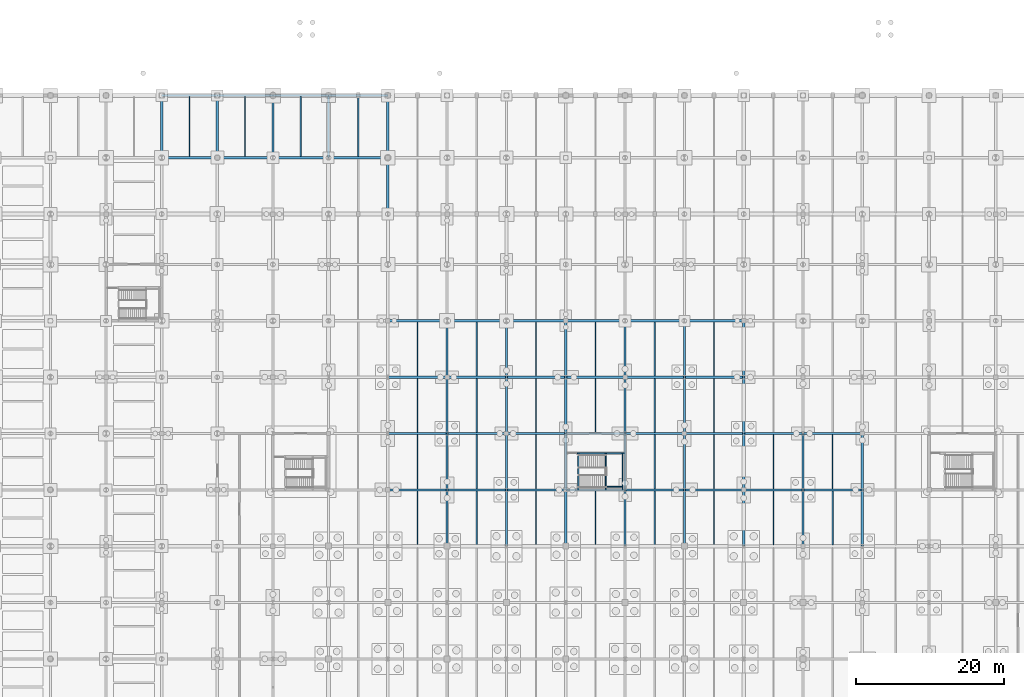
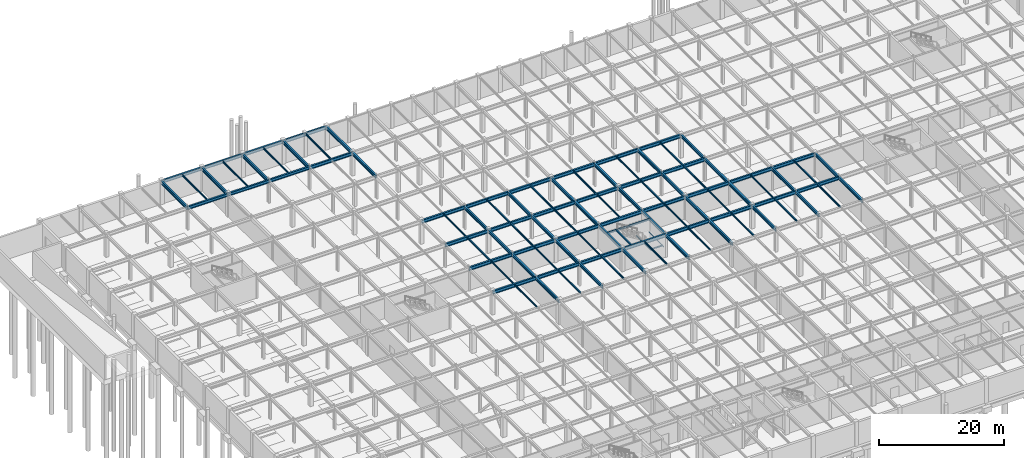
# One storey, part 33 of 53: 106 beams.
"""IFC4 building model written with IfcOpenShell, lengths in metres."""

from ifc_helpers import new_model, si_unit, direction, frame, origin, origin_2d, place, context, subcontext, project, spatial, hollow_rectangle, i_section, extrude, material, material_profile, profile_set, type_object, element, save


model = new_model("IFC4")

# Units and contexts
model_context = context("Model", 3, precision=1e-05, world=origin(), true_north=direction((0.0, 1.0)))
body_context = subcontext(model_context, "Body", "Model", "MODEL_VIEW")
ifc_project = project(units=[si_unit("LENGTHUNIT", "METRE"), si_unit("AREAUNIT", "SQUARE_METRE"), si_unit("VOLUMEUNIT", "CUBIC_METRE"), si_unit("PLANEANGLEUNIT", "RADIAN"), si_unit("MASSUNIT", "GRAM", prefix="KILO")], contexts=[model_context])

# Site, building, storey
site_placement = place(None, origin())
site = spatial("IfcSite", under=ifc_project, at=site_placement, CompositionType="ELEMENT")
building_placement = place(site_placement, origin())
building = spatial("IfcBuilding", under=site, at=building_placement, Name="Shalkamar Park Central Library", CompositionType="ELEMENT")
storey_placement = place(building_placement, frame((0.0, 0.0, -4.800048828125)))
storey = spatial("IfcBuildingStorey", under=building, at=storey_placement, Name="B1", CompositionType="ELEMENT", Elevation=-4.800048828125)

# Beams
ifc_material = material(Name="Steel S355", Category="steel")
ifc_material_profile_1 = material_profile(ifc_material, i_section(OverallWidth=0.10009765625, OverallDepth=0.199951171875, WebThickness=0.005615234375, FlangeThickness=0.008544921875, FilletRadius=0.011962890625, at=origin_2d()), Name="IPE 200")
ifc_profile_set_1 = profile_set([ifc_material_profile_1], Name="Steel S355")
beam_type_1 = type_object("IfcBeamType", Name="Composite Floor Joist IPE200", PredefinedType="JOIST", material=ifc_profile_set_1)
for number, where, z_axis, x_axis, name in (
    (1, (202.39501953125, 300.800048828125, 2.02001953125), (0.0, 1.0, 0.0), (-1.0, 0.0, 0.0), "Stair Half-Landing Beam ST-P7-B1-1"),
    (2, (204.64501953125, 300.800048828125, 2.02001953125), (0.0, 1.0, 0.0), (-1.0, 0.0, 0.0), "Stair Half-Landing Beam ST-P7-B1-2"),
):
    element("IfcBeam", number, at=place(storey_placement, frame(where, z_axis=z_axis, x_axis=x_axis)), inside=storey, type_object=beam_type_1, Name=name, PredefinedType="JOIST", context=body_context, shape_type="SweptSolid", body=[
        extrude(i_section(OverallWidth=0.10009765625, OverallDepth=0.199951171875, WebThickness=0.005615234375, FlangeThickness=0.008544921875, FilletRadius=0.011962890625, at=origin_2d()), origin(), (0.0, 0.0, 1.0), 4.949951171875),
    ])
beam_1_placement = place(storey_placement, frame((202.39501953125, 301.22509765625, 2.02001953125), z_axis=(1.0, 0.0, 0.0), x_axis=(0.0, 1.0, 0.0)))
element("IfcBeam", 3, at=beam_1_placement, inside=storey, type_object=beam_type_1, Name="Stair Half-Landing Cross Tie ST-P7-B1-3", PredefinedType="JOIST", context=body_context, shape_type="SweptSolid", body=[
    extrude(i_section(OverallWidth=0.10009765625, OverallDepth=0.199951171875, WebThickness=0.005615234375, FlangeThickness=0.008544921875, FilletRadius=0.011962890625, at=origin_2d()), origin(), (0.0, 0.0, 1.0), 2.25),
])
ifc_material_profile_2 = material_profile(ifc_material, i_section(OverallWidth=0.14990234375, OverallDepth=0.300048828125, WebThickness=0.007080078125, FlangeThickness=0.0107421875, FilletRadius=0.014892578125, at=origin_2d()), Name="IPE 300")
ifc_profile_set_2 = profile_set([ifc_material_profile_2], Name="Steel S355")
beam_type_2 = type_object("IfcBeamType", Name="Composite Floor Joist IPE300", PredefinedType="JOIST", material=ifc_profile_set_2)
for number, where, z_axis, x_axis, name in (
    (4, (177.0, 300.947998046875, 4.360107421875), (0.0, 1.0, 0.0), (-1.0, 0.0, 0.0), "Composite Joist 08/J-1 (B1)"),
    (5, (185.0, 300.947998046875, 4.360107421875), (0.0, 1.0, 0.0), (-1.0, 0.0, 0.0), "Composite Joist 09/J-1 (B1)"),
    (6, (193.0, 300.947998046875, 4.360107421875), (0.0, 1.0, 0.0), (-1.0, 0.0, 0.0), "Composite Joist 10/J-1 (B1)"),
    (7, (209.0, 300.947998046875, 4.360107421875), (0.0, 1.0, 0.0), (-1.0, 0.0, 0.0), "Composite Joist 12/J-1 (B1)"),
    (8, (217.0, 300.947998046875, 4.360107421875), (0.0, 1.0, 0.0), (-1.0, 0.0, 0.0), "Composite Joist 13/J-1 (B1)"),
    (9, (225.0, 300.947998046875, 4.360107421875), (0.0, 1.0, 0.0), (-1.0, 0.0, 0.0), "Composite Joist 14/J-1 (B1)"),
    (10, (233.0, 300.947998046875, 4.360107421875), (0.0, 1.0, 0.0), (-1.0, 0.0, 0.0), "Composite Joist 15/J-1 (B1)"),
):
    element("IfcBeam", number, at=place(storey_placement, frame(where, z_axis=z_axis, x_axis=x_axis)), inside=storey, type_object=beam_type_2, Name=name, PredefinedType="JOIST", context=body_context, shape_type="SweptSolid", body=[
        extrude(i_section(OverallWidth=0.14990234375, OverallDepth=0.300048828125, WebThickness=0.007080078125, FlangeThickness=0.0107421875, FilletRadius=0.014892578125, at=origin_2d()), origin(), (0.0, 0.0, 1.0), 7.303955078125),
    ])
ifc_material_profile_3 = material_profile(ifc_material, i_section(OverallWidth=0.159912109375, OverallDepth=0.330078125, WebThickness=0.007568359375, FlangeThickness=0.011474609375, FilletRadius=0.01806640625, at=origin_2d()), Name="IPE 330")
ifc_profile_set_3 = profile_set([ifc_material_profile_3], Name="Steel S355")
beam_type_3 = type_object("IfcBeamType", Name="Composite Floor Joist IPE330", PredefinedType="JOIST", material=ifc_profile_set_3)
for number, where, z_axis, x_axis, name in (
    (11, (146.25, 345.748046875, 4.344970703125), (0.0, 1.0, 0.0), (-1.0, 0.0, 0.0), "Composite Joist 04/Q-1 (B1)"),
    (12, (153.75, 345.748046875, 4.344970703125), (0.0, 1.0, 0.0), (-1.0, 0.0, 0.0), "Composite Joist 05/Q-1 (B1)"),
    (13, (161.25, 345.748046875, 4.344970703125), (0.0, 1.0, 0.0), (-1.0, 0.0, 0.0), "Composite Joist 06/Q-1 (B1)"),
    (14, (169.0, 345.748046875, 4.455078125), (0.0, 1.0, 0.0), (-1.0, 0.0, 0.0), "Composite Joist 07/Q-1 (B1)"),
):
    element("IfcBeam", number, at=place(storey_placement, frame(where, z_axis=z_axis, x_axis=x_axis)), inside=storey, type_object=beam_type_3, Name=name, PredefinedType="JOIST", context=body_context, shape_type="SweptSolid", body=[
        extrude(i_section(OverallWidth=0.159912109375, OverallDepth=0.330078125, WebThickness=0.007568359375, FlangeThickness=0.011474609375, FilletRadius=0.01806640625, at=origin_2d()), origin(), (0.0, 0.0, 1.0), 8.10400390625),
    ])
beam_2_placement = place(storey_placement, frame((177.0, 293.347900390625, 4.344970703125), z_axis=(0.0, 1.0, 0.0), x_axis=(-1.0, 0.0, 0.0)))
element("IfcBeam", 15, at=beam_2_placement, inside=storey, type_object=beam_type_3, Name="Composite Joist 08/H-1 (B1)", PredefinedType="JOIST", context=body_context, shape_type="SweptSolid", body=[
    extrude(i_section(OverallWidth=0.159912109375, OverallDepth=0.330078125, WebThickness=0.007568359375, FlangeThickness=0.011474609375, FilletRadius=0.01806640625, at=origin_2d()), origin(), (0.0, 0.0, 1.0), 7.30419921875),
])
for number, where, z_axis, x_axis, name in (
    (16, (177.0, 308.548095703125, 4.344970703125), (0.0, 1.0, 0.0), (-1.0, 0.0, 0.0), "Composite Joist 08/K-1 (B1)"),
    (17, (177.0, 316.14794921875, 4.344970703125), (0.0, 1.0, 0.0), (-1.0, 0.0, 0.0), "Composite Joist 08/L-1 (B1)"),
):
    element("IfcBeam", number, at=place(storey_placement, frame(where, z_axis=z_axis, x_axis=x_axis)), inside=storey, type_object=beam_type_3, Name=name, PredefinedType="JOIST", context=body_context, shape_type="SweptSolid", body=[
        extrude(i_section(OverallWidth=0.159912109375, OverallDepth=0.330078125, WebThickness=0.007568359375, FlangeThickness=0.011474609375, FilletRadius=0.01806640625, at=origin_2d()), origin(), (0.0, 0.0, 1.0), 7.303955078125),
    ])
beam_3_placement = place(storey_placement, frame((185.0, 293.347900390625, 4.344970703125), z_axis=(0.0, 1.0, 0.0), x_axis=(-1.0, 0.0, 0.0)))
element("IfcBeam", 18, at=beam_3_placement, inside=storey, type_object=beam_type_3, Name="Composite Joist 09/H-1 (B1)", PredefinedType="JOIST", context=body_context, shape_type="SweptSolid", body=[
    extrude(i_section(OverallWidth=0.159912109375, OverallDepth=0.330078125, WebThickness=0.007568359375, FlangeThickness=0.011474609375, FilletRadius=0.01806640625, at=origin_2d()), origin(), (0.0, 0.0, 1.0), 7.30419921875),
])
for number, where, z_axis, x_axis, name in (
    (19, (185.0, 308.548095703125, 4.344970703125), (0.0, 1.0, 0.0), (-1.0, 0.0, 0.0), "Composite Joist 09/K-1 (B1)"),
    (20, (185.0, 316.14794921875, 4.344970703125), (0.0, 1.0, 0.0), (-1.0, 0.0, 0.0), "Composite Joist 09/L-1 (B1)"),
):
    element("IfcBeam", number, at=place(storey_placement, frame(where, z_axis=z_axis, x_axis=x_axis)), inside=storey, type_object=beam_type_3, Name=name, PredefinedType="JOIST", context=body_context, shape_type="SweptSolid", body=[
        extrude(i_section(OverallWidth=0.159912109375, OverallDepth=0.330078125, WebThickness=0.007568359375, FlangeThickness=0.011474609375, FilletRadius=0.01806640625, at=origin_2d()), origin(), (0.0, 0.0, 1.0), 7.303955078125),
    ])
beam_4_placement = place(storey_placement, frame((193.0, 293.347900390625, 4.344970703125), z_axis=(0.0, 1.0, 0.0), x_axis=(-1.0, 0.0, 0.0)))
element("IfcBeam", 21, at=beam_4_placement, inside=storey, type_object=beam_type_3, Name="Composite Joist 10/H-1 (B1)", PredefinedType="JOIST", context=body_context, shape_type="SweptSolid", body=[
    extrude(i_section(OverallWidth=0.159912109375, OverallDepth=0.330078125, WebThickness=0.007568359375, FlangeThickness=0.011474609375, FilletRadius=0.01806640625, at=origin_2d()), origin(), (0.0, 0.0, 1.0), 7.30419921875),
])
for number, where, z_axis, x_axis, name in (
    (22, (193.0, 308.548095703125, 4.344970703125), (0.0, 1.0, 0.0), (-1.0, 0.0, 0.0), "Composite Joist 10/K-1 (B1)"),
    (23, (193.0, 316.14794921875, 4.344970703125), (0.0, 1.0, 0.0), (-1.0, 0.0, 0.0), "Composite Joist 10/L-1 (B1)"),
):
    element("IfcBeam", number, at=place(storey_placement, frame(where, z_axis=z_axis, x_axis=x_axis)), inside=storey, type_object=beam_type_3, Name=name, PredefinedType="JOIST", context=body_context, shape_type="SweptSolid", body=[
        extrude(i_section(OverallWidth=0.159912109375, OverallDepth=0.330078125, WebThickness=0.007568359375, FlangeThickness=0.011474609375, FilletRadius=0.01806640625, at=origin_2d()), origin(), (0.0, 0.0, 1.0), 7.303955078125),
    ])
beam_5_placement = place(storey_placement, frame((201.0, 293.347900390625, 4.344970703125), z_axis=(0.0, 1.0, 0.0), x_axis=(-1.0, 0.0, 0.0)))
element("IfcBeam", 24, at=beam_5_placement, inside=storey, type_object=beam_type_3, Name="Composite Joist 11/H-1 (B1)", PredefinedType="JOIST", context=body_context, shape_type="SweptSolid", body=[
    extrude(i_section(OverallWidth=0.159912109375, OverallDepth=0.330078125, WebThickness=0.007568359375, FlangeThickness=0.011474609375, FilletRadius=0.01806640625, at=origin_2d()), origin(), (0.0, 0.0, 1.0), 7.30419921875),
])
for number, where, z_axis, x_axis, name in (
    (25, (201.0, 308.548095703125, 4.344970703125), (0.0, 1.0, 0.0), (-1.0, 0.0, 0.0), "Composite Joist 11/K-1 (B1)"),
    (26, (201.0, 316.14794921875, 4.344970703125), (0.0, 1.0, 0.0), (-1.0, 0.0, 0.0), "Composite Joist 11/L-1 (B1)"),
):
    element("IfcBeam", number, at=place(storey_placement, frame(where, z_axis=z_axis, x_axis=x_axis)), inside=storey, type_object=beam_type_3, Name=name, PredefinedType="JOIST", context=body_context, shape_type="SweptSolid", body=[
        extrude(i_section(OverallWidth=0.159912109375, OverallDepth=0.330078125, WebThickness=0.007568359375, FlangeThickness=0.011474609375, FilletRadius=0.01806640625, at=origin_2d()), origin(), (0.0, 0.0, 1.0), 7.303955078125),
    ])
beam_6_placement = place(storey_placement, frame((209.0, 293.347900390625, 4.344970703125), z_axis=(0.0, 1.0, 0.0), x_axis=(-1.0, 0.0, 0.0)))
element("IfcBeam", 27, at=beam_6_placement, inside=storey, type_object=beam_type_3, Name="Composite Joist 12/H-1 (B1)", PredefinedType="JOIST", context=body_context, shape_type="SweptSolid", body=[
    extrude(i_section(OverallWidth=0.159912109375, OverallDepth=0.330078125, WebThickness=0.007568359375, FlangeThickness=0.011474609375, FilletRadius=0.01806640625, at=origin_2d()), origin(), (0.0, 0.0, 1.0), 7.30419921875),
])
for number, where, z_axis, x_axis, name in (
    (28, (209.0, 308.548095703125, 4.344970703125), (0.0, 1.0, 0.0), (-1.0, 0.0, 0.0), "Composite Joist 12/K-1 (B1)"),
    (29, (209.0, 316.14794921875, 4.344970703125), (0.0, 1.0, 0.0), (-1.0, 0.0, 0.0), "Composite Joist 12/L-1 (B1)"),
):
    element("IfcBeam", number, at=place(storey_placement, frame(where, z_axis=z_axis, x_axis=x_axis)), inside=storey, type_object=beam_type_3, Name=name, PredefinedType="JOIST", context=body_context, shape_type="SweptSolid", body=[
        extrude(i_section(OverallWidth=0.159912109375, OverallDepth=0.330078125, WebThickness=0.007568359375, FlangeThickness=0.011474609375, FilletRadius=0.01806640625, at=origin_2d()), origin(), (0.0, 0.0, 1.0), 7.303955078125),
    ])
beam_7_placement = place(storey_placement, frame((217.0, 293.347900390625, 4.344970703125), z_axis=(0.0, 1.0, 0.0), x_axis=(-1.0, 0.0, 0.0)))
element("IfcBeam", 30, at=beam_7_placement, inside=storey, type_object=beam_type_3, Name="Composite Joist 13/H-1 (B1)", PredefinedType="JOIST", context=body_context, shape_type="SweptSolid", body=[
    extrude(i_section(OverallWidth=0.159912109375, OverallDepth=0.330078125, WebThickness=0.007568359375, FlangeThickness=0.011474609375, FilletRadius=0.01806640625, at=origin_2d()), origin(), (0.0, 0.0, 1.0), 7.30419921875),
])
for number, where, z_axis, x_axis, name in (
    (31, (217.0, 308.548095703125, 4.344970703125), (0.0, 1.0, 0.0), (-1.0, 0.0, 0.0), "Composite Joist 13/K-1 (B1)"),
    (32, (217.0, 316.14794921875, 4.344970703125), (0.0, 1.0, 0.0), (-1.0, 0.0, 0.0), "Composite Joist 13/L-1 (B1)"),
):
    element("IfcBeam", number, at=place(storey_placement, frame(where, z_axis=z_axis, x_axis=x_axis)), inside=storey, type_object=beam_type_3, Name=name, PredefinedType="JOIST", context=body_context, shape_type="SweptSolid", body=[
        extrude(i_section(OverallWidth=0.159912109375, OverallDepth=0.330078125, WebThickness=0.007568359375, FlangeThickness=0.011474609375, FilletRadius=0.01806640625, at=origin_2d()), origin(), (0.0, 0.0, 1.0), 7.303955078125),
    ])
for number, where, z_axis, x_axis, name in (
    (33, (225.0, 293.347900390625, 4.344970703125), (0.0, 1.0, 0.0), (-1.0, 0.0, 0.0), "Composite Joist 14/H-1 (B1)"),
    (34, (233.0, 293.347900390625, 4.344970703125), (0.0, 1.0, 0.0), (-1.0, 0.0, 0.0), "Composite Joist 15/H-1 (B1)"),
):
    element("IfcBeam", number, at=place(storey_placement, frame(where, z_axis=z_axis, x_axis=x_axis)), inside=storey, type_object=beam_type_3, Name=name, PredefinedType="JOIST", context=body_context, shape_type="SweptSolid", body=[
        extrude(i_section(OverallWidth=0.159912109375, OverallDepth=0.330078125, WebThickness=0.007568359375, FlangeThickness=0.011474609375, FilletRadius=0.01806640625, at=origin_2d()), origin(), (0.0, 0.0, 1.0), 7.30419921875),
    ])
ifc_material_profile_4 = material_profile(ifc_material, i_section(OverallWidth=0.300048828125, OverallDepth=0.60009765625, WebThickness=0.015380859375, FlangeThickness=0.030029296875, FilletRadius=0.027099609375, at=origin_2d()), Name="HEB 600")
ifc_profile_set_4 = profile_set([ifc_material_profile_4], Name="Steel S355")
beam_type_4 = type_object("IfcBeamType", Name="Primary Girder HEB600", PredefinedType="BEAM", material=ifc_profile_set_4)
for number, where, z_axis, x_axis, name in (
    (35, (142.5, 345.60009765625, 4.2099609375), (1.0, 0.0, 0.0), (0.0, 1.0, 0.0), "Beam Q:04-05 (B1)"),
    (36, (150.0, 345.60009765625, 4.2099609375), (1.0, 0.0, 0.0), (0.0, 1.0, 0.0), "Beam Q:05-06 (B1)"),
    (37, (157.5, 345.60009765625, 4.2099609375), (1.0, 0.0, 0.0), (0.0, 1.0, 0.0), "Beam Q:06-07 (B1)"),
    (38, (142.5, 354.0, 4.2099609375), (1.0, 0.0, 0.0), (0.0, 1.0, 0.0), "Beam R:04-05 (B1)"),
    (39, (150.0, 354.0, 4.2099609375), (1.0, 0.0, 0.0), (0.0, 1.0, 0.0), "Beam R:05-06 (B1)"),
    (40, (157.5, 354.0, 4.2099609375), (1.0, 0.0, 0.0), (0.0, 1.0, 0.0), "Beam R:06-07 (B1)"),
):
    element("IfcBeam", number, at=place(storey_placement, frame(where, z_axis=z_axis, x_axis=x_axis)), inside=storey, type_object=beam_type_4, Name=name, PredefinedType="BEAM", context=body_context, shape_type="SweptSolid", body=[
        extrude(i_section(OverallWidth=0.300048828125, OverallDepth=0.60009765625, WebThickness=0.015380859375, FlangeThickness=0.030029296875, FilletRadius=0.027099609375, at=origin_2d()), origin(), (0.0, 0.0, 1.0), 7.5),
    ])
for number, where, z_axis, x_axis, name in (
    (41, (173.0, 338.0, 4.2099609375), (0.0, 1.0, 0.0), (-1.0, 0.0, 0.0), "Beam 08:P-Q (B1)"),
    (42, (181.0, 293.199951171875, 4.2099609375), (0.0, 1.0, 0.0), (-1.0, 0.0, 0.0), "Beam 09:H-J (B1)"),
):
    element("IfcBeam", number, at=place(storey_placement, frame(where, z_axis=z_axis, x_axis=x_axis)), inside=storey, type_object=beam_type_4, Name=name, PredefinedType="BEAM", context=body_context, shape_type="SweptSolid", body=[
        extrude(i_section(OverallWidth=0.300048828125, OverallDepth=0.60009765625, WebThickness=0.015380859375, FlangeThickness=0.030029296875, FilletRadius=0.027099609375, at=origin_2d()), origin(), (0.0, 0.0, 1.0), 7.60009765625),
    ])
beam_8_placement = place(storey_placement, frame((181.0, 300.800048828125, 4.2099609375), z_axis=(0.0, 1.0, 0.0), x_axis=(-1.0, 0.0, 0.0)))
element("IfcBeam", 43, at=beam_8_placement, inside=storey, type_object=beam_type_4, Name="Beam 09:J-K (B1)", PredefinedType="BEAM", context=body_context, shape_type="SweptSolid", body=[
    extrude(i_section(OverallWidth=0.300048828125, OverallDepth=0.60009765625, WebThickness=0.015380859375, FlangeThickness=0.030029296875, FilletRadius=0.027099609375, at=origin_2d()), origin(), (0.0, 0.0, 1.0), 7.599853515625),
])
for number, where, z_axis, x_axis, name in (
    (44, (181.0, 308.39990234375, 4.2099609375), (0.0, 1.0, 0.0), (-1.0, 0.0, 0.0), "Beam 09:K-L (B1)"),
    (45, (181.0, 316.0, 4.2099609375), (0.0, 1.0, 0.0), (-1.0, 0.0, 0.0), "Beam 09:L-M (B1)"),
    (46, (189.0, 293.199951171875, 4.2099609375), (0.0, 1.0, 0.0), (-1.0, 0.0, 0.0), "Beam 10:H-J (B1)"),
):
    element("IfcBeam", number, at=place(storey_placement, frame(where, z_axis=z_axis, x_axis=x_axis)), inside=storey, type_object=beam_type_4, Name=name, PredefinedType="BEAM", context=body_context, shape_type="SweptSolid", body=[
        extrude(i_section(OverallWidth=0.300048828125, OverallDepth=0.60009765625, WebThickness=0.015380859375, FlangeThickness=0.030029296875, FilletRadius=0.027099609375, at=origin_2d()), origin(), (0.0, 0.0, 1.0), 7.60009765625),
    ])
beam_9_placement = place(storey_placement, frame((189.0, 300.800048828125, 4.2099609375), z_axis=(0.0, 1.0, 0.0), x_axis=(-1.0, 0.0, 0.0)))
element("IfcBeam", 47, at=beam_9_placement, inside=storey, type_object=beam_type_4, Name="Beam 10:J-K (B1)", PredefinedType="BEAM", context=body_context, shape_type="SweptSolid", body=[
    extrude(i_section(OverallWidth=0.300048828125, OverallDepth=0.60009765625, WebThickness=0.015380859375, FlangeThickness=0.030029296875, FilletRadius=0.027099609375, at=origin_2d()), origin(), (0.0, 0.0, 1.0), 7.599853515625),
])
for number, where, z_axis, x_axis, name in (
    (48, (189.0, 308.39990234375, 4.2099609375), (0.0, 1.0, 0.0), (-1.0, 0.0, 0.0), "Beam 10:K-L (B1)"),
    (49, (189.0, 316.0, 4.2099609375), (0.0, 1.0, 0.0), (-1.0, 0.0, 0.0), "Beam 10:L-M (B1)"),
    (50, (197.0, 293.199951171875, 4.2099609375), (0.0, 1.0, 0.0), (-1.0, 0.0, 0.0), "Beam 11:H-J (B1)"),
):
    element("IfcBeam", number, at=place(storey_placement, frame(where, z_axis=z_axis, x_axis=x_axis)), inside=storey, type_object=beam_type_4, Name=name, PredefinedType="BEAM", context=body_context, shape_type="SweptSolid", body=[
        extrude(i_section(OverallWidth=0.300048828125, OverallDepth=0.60009765625, WebThickness=0.015380859375, FlangeThickness=0.030029296875, FilletRadius=0.027099609375, at=origin_2d()), origin(), (0.0, 0.0, 1.0), 7.60009765625),
    ])
beam_10_placement = place(storey_placement, frame((197.0, 300.800048828125, 4.2099609375), z_axis=(0.0, 1.0, 0.0), x_axis=(-1.0, 0.0, 0.0)))
element("IfcBeam", 51, at=beam_10_placement, inside=storey, type_object=beam_type_4, Name="Beam 11:J-K (B1)", PredefinedType="BEAM", context=body_context, shape_type="SweptSolid", body=[
    extrude(i_section(OverallWidth=0.300048828125, OverallDepth=0.60009765625, WebThickness=0.015380859375, FlangeThickness=0.030029296875, FilletRadius=0.027099609375, at=origin_2d()), origin(), (0.0, 0.0, 1.0), 7.599853515625),
])
for number, where, z_axis, x_axis, name in (
    (52, (197.0, 308.39990234375, 4.2099609375), (0.0, 1.0, 0.0), (-1.0, 0.0, 0.0), "Beam 11:K-L (B1)"),
    (53, (197.0, 316.0, 4.2099609375), (0.0, 1.0, 0.0), (-1.0, 0.0, 0.0), "Beam 11:L-M (B1)"),
    (54, (205.0, 293.199951171875, 4.2099609375), (0.0, 1.0, 0.0), (-1.0, 0.0, 0.0), "Beam 12:H-J (B1)"),
):
    element("IfcBeam", number, at=place(storey_placement, frame(where, z_axis=z_axis, x_axis=x_axis)), inside=storey, type_object=beam_type_4, Name=name, PredefinedType="BEAM", context=body_context, shape_type="SweptSolid", body=[
        extrude(i_section(OverallWidth=0.300048828125, OverallDepth=0.60009765625, WebThickness=0.015380859375, FlangeThickness=0.030029296875, FilletRadius=0.027099609375, at=origin_2d()), origin(), (0.0, 0.0, 1.0), 7.60009765625),
    ])
beam_11_placement = place(storey_placement, frame((205.0, 300.800048828125, 4.2099609375), z_axis=(0.0, 1.0, 0.0), x_axis=(-1.0, 0.0, 0.0)))
element("IfcBeam", 55, at=beam_11_placement, inside=storey, type_object=beam_type_4, Name="Beam 12:J-K (B1)", PredefinedType="BEAM", context=body_context, shape_type="SweptSolid", body=[
    extrude(i_section(OverallWidth=0.300048828125, OverallDepth=0.60009765625, WebThickness=0.015380859375, FlangeThickness=0.030029296875, FilletRadius=0.027099609375, at=origin_2d()), origin(), (0.0, 0.0, 1.0), 7.599853515625),
])
for number, where, z_axis, x_axis, name in (
    (56, (205.0, 308.39990234375, 4.2099609375), (0.0, 1.0, 0.0), (-1.0, 0.0, 0.0), "Beam 12:K-L (B1)"),
    (57, (205.0, 316.0, 4.2099609375), (0.0, 1.0, 0.0), (-1.0, 0.0, 0.0), "Beam 12:L-M (B1)"),
    (58, (213.0, 293.199951171875, 4.2099609375), (0.0, 1.0, 0.0), (-1.0, 0.0, 0.0), "Beam 13:H-J (B1)"),
):
    element("IfcBeam", number, at=place(storey_placement, frame(where, z_axis=z_axis, x_axis=x_axis)), inside=storey, type_object=beam_type_4, Name=name, PredefinedType="BEAM", context=body_context, shape_type="SweptSolid", body=[
        extrude(i_section(OverallWidth=0.300048828125, OverallDepth=0.60009765625, WebThickness=0.015380859375, FlangeThickness=0.030029296875, FilletRadius=0.027099609375, at=origin_2d()), origin(), (0.0, 0.0, 1.0), 7.60009765625),
    ])
beam_12_placement = place(storey_placement, frame((213.0, 300.800048828125, 4.2099609375), z_axis=(0.0, 1.0, 0.0), x_axis=(-1.0, 0.0, 0.0)))
element("IfcBeam", 59, at=beam_12_placement, inside=storey, type_object=beam_type_4, Name="Beam 13:J-K (B1)", PredefinedType="BEAM", context=body_context, shape_type="SweptSolid", body=[
    extrude(i_section(OverallWidth=0.300048828125, OverallDepth=0.60009765625, WebThickness=0.015380859375, FlangeThickness=0.030029296875, FilletRadius=0.027099609375, at=origin_2d()), origin(), (0.0, 0.0, 1.0), 7.599853515625),
])
for number, where, z_axis, x_axis, name in (
    (60, (213.0, 308.39990234375, 4.2099609375), (0.0, 1.0, 0.0), (-1.0, 0.0, 0.0), "Beam 13:K-L (B1)"),
    (61, (213.0, 316.0, 4.2099609375), (0.0, 1.0, 0.0), (-1.0, 0.0, 0.0), "Beam 13:L-M (B1)"),
    (62, (221.0, 293.199951171875, 4.2099609375), (0.0, 1.0, 0.0), (-1.0, 0.0, 0.0), "Beam 14:H-J (B1)"),
):
    element("IfcBeam", number, at=place(storey_placement, frame(where, z_axis=z_axis, x_axis=x_axis)), inside=storey, type_object=beam_type_4, Name=name, PredefinedType="BEAM", context=body_context, shape_type="SweptSolid", body=[
        extrude(i_section(OverallWidth=0.300048828125, OverallDepth=0.60009765625, WebThickness=0.015380859375, FlangeThickness=0.030029296875, FilletRadius=0.027099609375, at=origin_2d()), origin(), (0.0, 0.0, 1.0), 7.60009765625),
    ])
beam_13_placement = place(storey_placement, frame((221.0, 300.800048828125, 4.2099609375), z_axis=(0.0, 1.0, 0.0), x_axis=(-1.0, 0.0, 0.0)))
element("IfcBeam", 63, at=beam_13_placement, inside=storey, type_object=beam_type_4, Name="Beam 14:J-K (B1)", PredefinedType="BEAM", context=body_context, shape_type="SweptSolid", body=[
    extrude(i_section(OverallWidth=0.300048828125, OverallDepth=0.60009765625, WebThickness=0.015380859375, FlangeThickness=0.030029296875, FilletRadius=0.027099609375, at=origin_2d()), origin(), (0.0, 0.0, 1.0), 7.599853515625),
])
for number, where, z_axis, x_axis, name in (
    (64, (221.0, 308.39990234375, 4.2099609375), (0.0, 1.0, 0.0), (-1.0, 0.0, 0.0), "Beam 14:K-L (B1)"),
    (65, (221.0, 316.0, 4.2099609375), (0.0, 1.0, 0.0), (-1.0, 0.0, 0.0), "Beam 14:L-M (B1)"),
    (66, (229.0, 293.199951171875, 4.2099609375), (0.0, 1.0, 0.0), (-1.0, 0.0, 0.0), "Beam 15:H-J (B1)"),
):
    element("IfcBeam", number, at=place(storey_placement, frame(where, z_axis=z_axis, x_axis=x_axis)), inside=storey, type_object=beam_type_4, Name=name, PredefinedType="BEAM", context=body_context, shape_type="SweptSolid", body=[
        extrude(i_section(OverallWidth=0.300048828125, OverallDepth=0.60009765625, WebThickness=0.015380859375, FlangeThickness=0.030029296875, FilletRadius=0.027099609375, at=origin_2d()), origin(), (0.0, 0.0, 1.0), 7.60009765625),
    ])
beam_14_placement = place(storey_placement, frame((229.0, 300.800048828125, 4.2099609375), z_axis=(0.0, 1.0, 0.0), x_axis=(-1.0, 0.0, 0.0)))
element("IfcBeam", 67, at=beam_14_placement, inside=storey, type_object=beam_type_4, Name="Beam 15:J-K (B1)", PredefinedType="BEAM", context=body_context, shape_type="SweptSolid", body=[
    extrude(i_section(OverallWidth=0.300048828125, OverallDepth=0.60009765625, WebThickness=0.015380859375, FlangeThickness=0.030029296875, FilletRadius=0.027099609375, at=origin_2d()), origin(), (0.0, 0.0, 1.0), 7.599853515625),
])
beam_15_placement = place(storey_placement, frame((237.0, 293.199951171875, 4.2099609375), z_axis=(0.0, 1.0, 0.0), x_axis=(-1.0, 0.0, 0.0)))
element("IfcBeam", 68, at=beam_15_placement, inside=storey, type_object=beam_type_4, Name="Beam 16:H-J (B1)", PredefinedType="BEAM", context=body_context, shape_type="SweptSolid", body=[
    extrude(i_section(OverallWidth=0.300048828125, OverallDepth=0.60009765625, WebThickness=0.015380859375, FlangeThickness=0.030029296875, FilletRadius=0.027099609375, at=origin_2d()), origin(), (0.0, 0.0, 1.0), 7.60009765625),
])
beam_16_placement = place(storey_placement, frame((237.0, 300.800048828125, 4.2099609375), z_axis=(0.0, 1.0, 0.0), x_axis=(-1.0, 0.0, 0.0)))
element("IfcBeam", 69, at=beam_16_placement, inside=storey, type_object=beam_type_4, Name="Beam 16:J-K (B1)", PredefinedType="BEAM", context=body_context, shape_type="SweptSolid", body=[
    extrude(i_section(OverallWidth=0.300048828125, OverallDepth=0.60009765625, WebThickness=0.015380859375, FlangeThickness=0.030029296875, FilletRadius=0.027099609375, at=origin_2d()), origin(), (0.0, 0.0, 1.0), 7.599853515625),
])
ifc_material_profile_5 = material_profile(ifc_material, i_section(OverallWidth=0.300048828125, OverallDepth=0.64990234375, WebThickness=0.01611328125, FlangeThickness=0.031005859375, FilletRadius=0.027099609375, at=origin_2d()), Name="HEB 650")
ifc_profile_set_5 = profile_set([ifc_material_profile_5], Name="Steel S355")
beam_type_5 = type_object("IfcBeamType", Name="Primary Girder HEB650", PredefinedType="BEAM", material=ifc_profile_set_5)
for number, where, z_axis, x_axis, name in (
    (70, (173.0, 300.800048828125, 4.18505859375), (1.0, 0.0, 0.0), (0.0, 1.0, 0.0), "Beam J:08-09 (B1)"),
    (71, (181.0, 300.800048828125, 4.18505859375), (1.0, 0.0, 0.0), (0.0, 1.0, 0.0), "Beam J:09-10 (B1)"),
    (72, (189.0, 300.800048828125, 4.18505859375), (1.0, 0.0, 0.0), (0.0, 1.0, 0.0), "Beam J:10-11 (B1)"),
    (73, (197.0, 300.800048828125, 4.18505859375), (1.0, 0.0, 0.0), (0.0, 1.0, 0.0), "Beam J:11-12 (B1)"),
    (74, (205.0, 300.800048828125, 4.18505859375), (1.0, 0.0, 0.0), (0.0, 1.0, 0.0), "Beam J:12-13 (B1)"),
    (75, (213.0, 300.800048828125, 4.18505859375), (1.0, 0.0, 0.0), (0.0, 1.0, 0.0), "Beam J:13-14 (B1)"),
    (76, (221.0, 300.800048828125, 4.18505859375), (1.0, 0.0, 0.0), (0.0, 1.0, 0.0), "Beam J:14-15 (B1)"),
    (77, (229.0, 300.800048828125, 4.18505859375), (1.0, 0.0, 0.0), (0.0, 1.0, 0.0), "Beam J:15-16 (B1)"),
    (78, (173.0, 308.39990234375, 4.18505859375), (1.0, 0.0, 0.0), (0.0, 1.0, 0.0), "Beam K:08-09 (B1)"),
    (79, (181.0, 308.39990234375, 4.18505859375), (1.0, 0.0, 0.0), (0.0, 1.0, 0.0), "Beam K:09-10 (B1)"),
    (80, (189.0, 308.39990234375, 4.18505859375), (1.0, 0.0, 0.0), (0.0, 1.0, 0.0), "Beam K:10-11 (B1)"),
    (81, (197.0, 308.39990234375, 4.18505859375), (1.0, 0.0, 0.0), (0.0, 1.0, 0.0), "Beam K:11-12 (B1)"),
    (82, (205.0, 308.39990234375, 4.18505859375), (1.0, 0.0, 0.0), (0.0, 1.0, 0.0), "Beam K:12-13 (B1)"),
    (83, (213.0, 308.39990234375, 4.18505859375), (1.0, 0.0, 0.0), (0.0, 1.0, 0.0), "Beam K:13-14 (B1)"),
    (84, (221.0, 308.39990234375, 4.18505859375), (1.0, 0.0, 0.0), (0.0, 1.0, 0.0), "Beam K:14-15 (B1)"),
    (85, (229.0, 308.39990234375, 4.18505859375), (1.0, 0.0, 0.0), (0.0, 1.0, 0.0), "Beam K:15-16 (B1)"),
    (86, (173.0, 316.0, 4.18505859375), (1.0, 0.0, 0.0), (0.0, 1.0, 0.0), "Beam L:08-09 (B1)"),
    (87, (181.0, 316.0, 4.18505859375), (1.0, 0.0, 0.0), (0.0, 1.0, 0.0), "Beam L:09-10 (B1)"),
    (88, (189.0, 316.0, 4.18505859375), (1.0, 0.0, 0.0), (0.0, 1.0, 0.0), "Beam L:10-11 (B1)"),
    (89, (197.0, 316.0, 4.18505859375), (1.0, 0.0, 0.0), (0.0, 1.0, 0.0), "Beam L:11-12 (B1)"),
    (90, (205.0, 316.0, 4.18505859375), (1.0, 0.0, 0.0), (0.0, 1.0, 0.0), "Beam L:12-13 (B1)"),
    (91, (213.0, 316.0, 4.18505859375), (1.0, 0.0, 0.0), (0.0, 1.0, 0.0), "Beam L:13-14 (B1)"),
    (92, (173.0, 323.60009765625, 4.18505859375), (1.0, 0.0, 0.0), (0.0, 1.0, 0.0), "Beam M:08-09 (B1)"),
    (93, (181.0, 323.60009765625, 4.18505859375), (1.0, 0.0, 0.0), (0.0, 1.0, 0.0), "Beam M:09-10 (B1)"),
    (94, (189.0, 323.60009765625, 4.18505859375), (1.0, 0.0, 0.0), (0.0, 1.0, 0.0), "Beam M:10-11 (B1)"),
    (95, (197.0, 323.60009765625, 4.18505859375), (1.0, 0.0, 0.0), (0.0, 1.0, 0.0), "Beam M:11-12 (B1)"),
    (96, (205.0, 323.60009765625, 4.18505859375), (1.0, 0.0, 0.0), (0.0, 1.0, 0.0), "Beam M:12-13 (B1)"),
    (97, (213.0, 323.60009765625, 4.18505859375), (1.0, 0.0, 0.0), (0.0, 1.0, 0.0), "Beam M:13-14 (B1)"),
    (98, (165.0, 345.60009765625, 4.18505859375), (1.0, 0.0, 0.0), (0.0, 1.0, 0.0), "Beam Q:07-08 (B1)"),
    (99, (165.0, 354.0, 4.18505859375), (1.0, 0.0, 0.0), (0.0, 1.0, 0.0), "Beam R:07-08 (B1)"),
):
    element("IfcBeam", number, at=place(storey_placement, frame(where, z_axis=z_axis, x_axis=x_axis)), inside=storey, type_object=beam_type_5, Name=name, PredefinedType="BEAM", context=body_context, shape_type="SweptSolid", body=[
        extrude(i_section(OverallWidth=0.300048828125, OverallDepth=0.64990234375, WebThickness=0.01611328125, FlangeThickness=0.031005859375, FilletRadius=0.027099609375, at=origin_2d()), origin(), (0.0, 0.0, 1.0), 8.0),
    ])
for number, where, z_axis, x_axis, name in (
    (100, (142.5, 345.60009765625, 4.18505859375), (0.0, 1.0, 0.0), (-1.0, 0.0, 0.0), "Beam 04:Q-R (B1)"),
    (101, (150.0, 345.60009765625, 4.18505859375), (0.0, 1.0, 0.0), (-1.0, 0.0, 0.0), "Beam 05:Q-R (B1)"),
    (102, (157.5, 345.60009765625, 4.18505859375), (0.0, 1.0, 0.0), (-1.0, 0.0, 0.0), "Beam 06:Q-R (B1)"),
    (103, (165.0, 345.60009765625, 4.18505859375), (0.0, 1.0, 0.0), (-1.0, 0.0, 0.0), "Beam 07:Q-R (B1)"),
    (104, (173.0, 345.60009765625, 4.18505859375), (0.0, 1.0, 0.0), (-1.0, 0.0, 0.0), "Beam 08:Q-R (B1)"),
):
    element("IfcBeam", number, at=place(storey_placement, frame(where, z_axis=z_axis, x_axis=x_axis)), inside=storey, type_object=beam_type_5, Name=name, PredefinedType="BEAM", context=body_context, shape_type="SweptSolid", body=[
        extrude(i_section(OverallWidth=0.300048828125, OverallDepth=0.64990234375, WebThickness=0.01611328125, FlangeThickness=0.031005859375, FilletRadius=0.027099609375, at=origin_2d()), origin(), (0.0, 0.0, 1.0), 8.39990234375),
    ])
ifc_material_profile_6 = material_profile(ifc_material, i_section(OverallWidth=0.169921875, OverallDepth=0.360107421875, WebThickness=0.008056640625, FlangeThickness=0.0126953125, FilletRadius=0.01806640625, at=origin_2d()), Name="IPE 360")
ifc_profile_set_6 = profile_set([ifc_material_profile_6], Name="Steel S355")
beam_type_6 = type_object("IfcBeamType", Name="Primary Girder IPE360", PredefinedType="BEAM", material=ifc_profile_set_6)
beam_17_placement = place(storey_placement, frame((197.087890625, 305.75, 4.330078125), z_axis=(1.0, 0.0, 0.0), x_axis=(0.0, 1.0, 0.0)))
element("IfcBeam", 105, at=beam_17_placement, inside=storey, type_object=beam_type_6, Name="CORE-P7 Stairwell Divider Beam (B1)", PredefinedType="BEAM", context=body_context, shape_type="SweptSolid", body=[
    extrude(i_section(OverallWidth=0.169921875, OverallDepth=0.360107421875, WebThickness=0.008056640625, FlangeThickness=0.0126953125, FilletRadius=0.01806640625, at=origin_2d()), origin(), (0.0, 0.0, 1.0), 7.82421875),
])
ifc_material_profile_7 = material_profile(ifc_material, hollow_rectangle(XDim=0.199951171875, YDim=0.300048828125, WallThickness=0.011962890625, InnerFilletRadius=0.011962890625, OuterFilletRadius=0.01806640625, at=origin_2d()), Name="RHS 300x200x12")
ifc_profile_set_7 = profile_set([ifc_material_profile_7], Name="Steel S355")
beam_type_7 = type_object("IfcBeamType", Name="Stair Trimmer Box RHS300x200", PredefinedType="BEAM", material=ifc_profile_set_7)
beam_18_placement = place(storey_placement, frame((198.695068359375, 300.800048828125, 4.360107421875), z_axis=(0.0, 1.0, 0.0), x_axis=(-1.0, 0.0, 0.0)))
element("IfcBeam", 106, at=beam_18_placement, inside=storey, type_object=beam_type_7, Name="Stair Arrival Trimmer Girder ST-P7-B1", PredefinedType="BEAM", context=body_context, shape_type="SweptSolid", body=[
    extrude(hollow_rectangle(XDim=0.199951171875, YDim=0.300048828125, WallThickness=0.011962890625, InnerFilletRadius=0.011962890625, OuterFilletRadius=0.01806640625, at=origin_2d()), origin(), (0.0, 0.0, 1.0), 4.949951171875),
])

save(model, "model.ifc")
